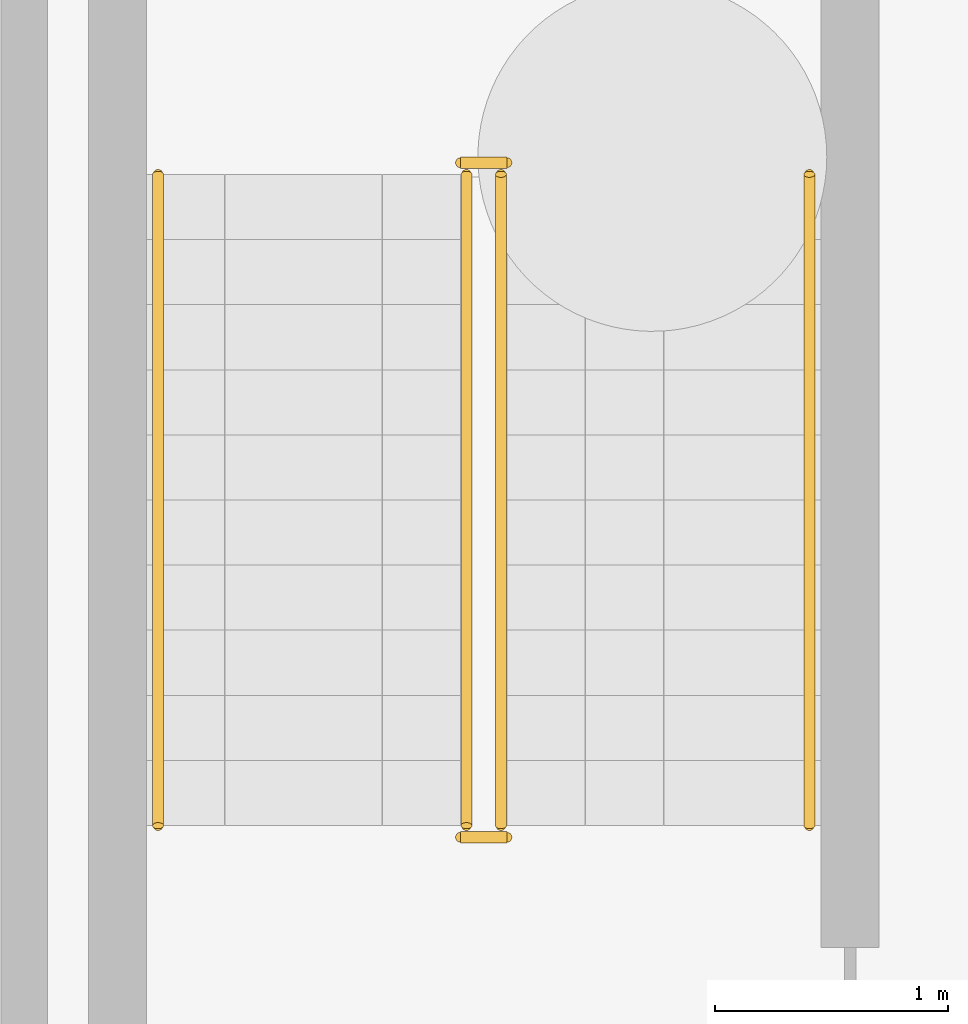
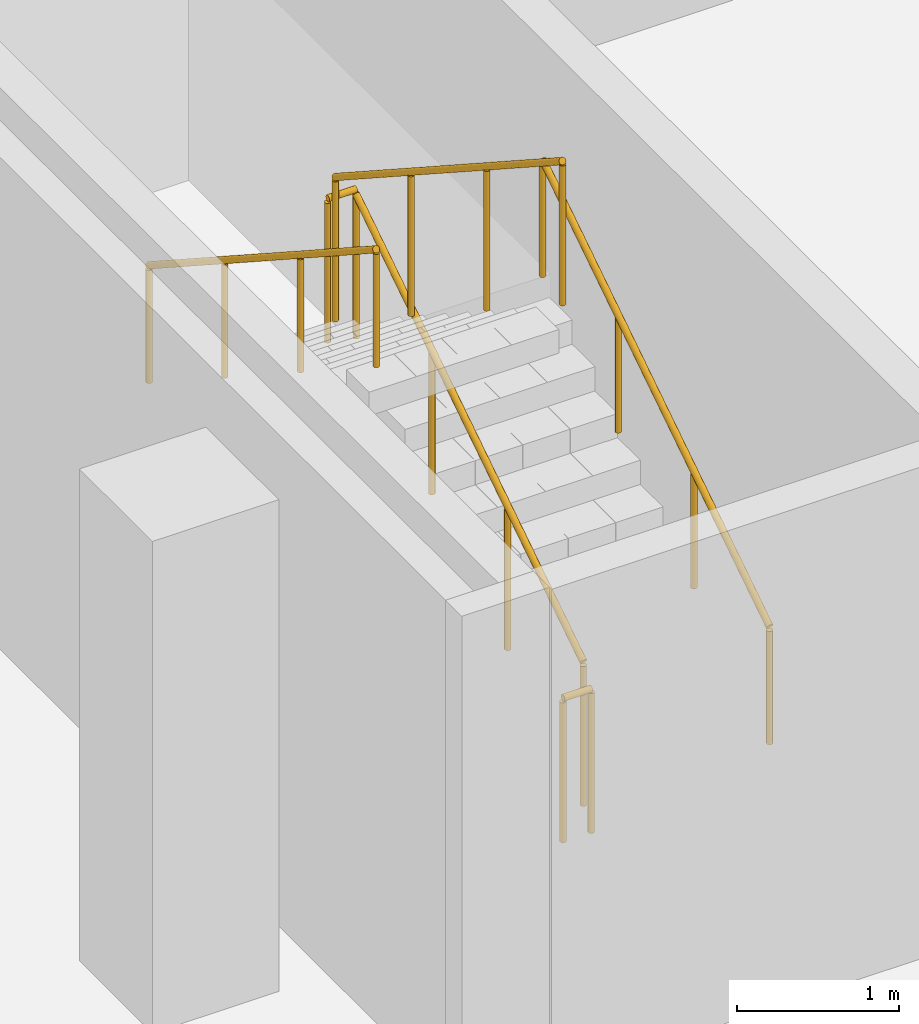
# One storey, part 19 of 20: 6 railings.
"""IFC4 building model written with IfcOpenShell, lengths in metres."""

from ifc_helpers import new_model, si_unit, direction, frame, origin, origin_2d, place, context, subcontext, project, spatial, circle, extrude, material, type_object, element, save


model = new_model("IFC4")

# Units and contexts
model_context = context("Model", 3, precision=1e-05, world=origin(), true_north=direction((0.0, 1.0)))
body_context = subcontext(model_context, "Body", "Model", "MODEL_VIEW")
ifc_project = project(units=[si_unit("LENGTHUNIT", "METRE"), si_unit("AREAUNIT", "SQUARE_METRE"), si_unit("VOLUMEUNIT", "CUBIC_METRE"), si_unit("PLANEANGLEUNIT", "RADIAN"), si_unit("MASSUNIT", "GRAM", prefix="KILO")], contexts=[model_context])

# Site, building, storey
site_placement = place(None, origin())
site = spatial("IfcSite", under=ifc_project, at=site_placement, CompositionType="ELEMENT")
building_placement = place(site_placement, origin())
building = spatial("IfcBuilding", under=site, at=building_placement, Name="Cantera Rosa Tower", CompositionType="ELEMENT")
storey_placement = place(building_placement, frame((0.0, 0.0, -17.0)))
storey = spatial("IfcBuildingStorey", under=building, at=storey_placement, Name="B4", CompositionType="ELEMENT", Elevation=-17.0)

# Railings
ifc_material_1 = material(Name="Steel S355J2 (EN 10025-2)", Category="steel")
railing_type_1 = type_object("IfcRailingType", Name="STAIR GUARD 1100", PredefinedType="GUARDRAIL", material=ifc_material_1)
railing_1_placement = place(storey_placement, frame((-30.65087890625, 21.125, 0.181884765625)))
element("IfcRailing", 1, at=railing_1_placement, inside=storey, type_object=railing_type_1, Name="B4 ST-NW stair guard 1", PredefinedType="GUARDRAIL", context=body_context, shape_type="SweptSolid", body=[
    extrude(circle(Radius=0.02392578125, at=origin_2d()), frame((0.0, 0.0, 1.076171875), z_axis=(0.0, 0.838705829183, 0.544584733623), x_axis=(-1.0, 0.0, 0.0)), (0.0, 0.0, 1.0), 3.338623046875),
    extrude(circle(Radius=0.02099609375, at=origin_2d()), origin(), (0.0, 0.0, 1.0), 1.052001953125),
    extrude(circle(Radius=0.02099609375, at=origin_2d()), frame((0.0, 0.933349609375, 0.60595703125)), (0.0, 0.0, 1.0), 1.052001953125),
    extrude(circle(Radius=0.02099609375, at=origin_2d()), frame((0.0, 1.86669921875, 1.212158203125)), (0.0, 0.0, 1.0), 1.052001953125),
    extrude(circle(Radius=0.02099609375, at=origin_2d()), frame((0.0, 2.800048828125, 1.818115234375)), (0.0, 0.0, 1.0), 1.052001953125),
])
railing_2_placement = place(storey_placement, frame((-30.625, 23.97509765625, 2.0)))
element("IfcRailing", 2, at=railing_2_placement, inside=storey, type_object=railing_type_1, Name="B4 ST-NW stair guard 2", PredefinedType="GUARDRAIL", context=body_context, shape_type="SweptSolid", body=[
    extrude(circle(Radius=0.02392578125, at=origin_2d()), frame((0.0, 0.0, 1.076171875), z_axis=(-1.0, 0.0, 0.0), x_axis=(0.0, -1.0, 0.0)), (0.0, 0.0, 1.0), 0.199951171875),
    extrude(circle(Radius=0.02099609375, at=origin_2d()), origin(), (0.0, 0.0, 1.0), 1.052001953125),
    extrude(circle(Radius=0.02099609375, at=origin_2d()), frame((-0.199951171875, 0.0, 0.0)), (0.0, 0.0, 1.0), 1.052001953125),
])
railing_3_placement = place(storey_placement, frame((-30.799072265625, 23.925048828125, 2.181884765625)))
element("IfcRailing", 3, at=railing_3_placement, inside=storey, type_object=railing_type_1, Name="B4 ST-NW stair guard 3", PredefinedType="GUARDRAIL", context=body_context, shape_type="SweptSolid", body=[
    extrude(circle(Radius=0.02392578125, at=origin_2d()), frame((0.0, 0.0, 1.076171875), z_axis=(0.0, -0.838705829183, 0.544584733623), x_axis=(1.0, 0.0, 0.0)), (0.0, 0.0, 1.0), 3.338623046875),
    extrude(circle(Radius=0.02099609375, at=origin_2d()), origin(), (0.0, 0.0, 1.0), 1.052001953125),
    extrude(circle(Radius=0.02099609375, at=origin_2d()), frame((0.0, -0.933349609375, 0.60595703125)), (0.0, 0.0, 1.0), 1.052001953125),
    extrude(circle(Radius=0.02099609375, at=origin_2d()), frame((0.0, -1.86669921875, 1.212158203125)), (0.0, 0.0, 1.0), 1.052001953125),
    extrude(circle(Radius=0.02099609375, at=origin_2d()), frame((0.0, -2.800048828125, 1.818115234375)), (0.0, 0.0, 1.0), 1.052001953125),
])
railing_4_placement = place(storey_placement, frame((-30.625, 21.074951171875, 0.0)))
element("IfcRailing", 4, at=railing_4_placement, inside=storey, type_object=railing_type_1, Name="B4 ST-NW stair guard 4", PredefinedType="GUARDRAIL", context=body_context, shape_type="SweptSolid", body=[
    extrude(circle(Radius=0.02392578125, at=origin_2d()), frame((0.0, 0.0, 1.076171875), z_axis=(-1.0, 0.0, 0.0), x_axis=(0.0, -1.0, 0.0)), (0.0, 0.0, 1.0), 0.199951171875),
    extrude(circle(Radius=0.02099609375, at=origin_2d()), origin(), (0.0, 0.0, 1.0), 1.052001953125),
    extrude(circle(Radius=0.02099609375, at=origin_2d()), frame((-0.199951171875, 0.0, 0.0)), (0.0, 0.0, 1.0), 1.052001953125),
])
ifc_material_2 = material(Name="Steel S355J2 (EN 10025-2)", Category="steel")
railing_type_2 = type_object("IfcRailingType", Name="STAIR HANDRAIL 900", PredefinedType="HANDRAIL", material=ifc_material_2)
railing_5_placement = place(storey_placement, frame((-29.324951171875, 21.125, 0.181884765625)))
element("IfcRailing", 5, at=railing_5_placement, inside=storey, type_object=railing_type_2, Name="B4 ST-NW stair handrail 1", PredefinedType="HANDRAIL", context=body_context, shape_type="SweptSolid", body=[
    extrude(circle(Radius=0.02392578125, at=origin_2d()), frame((0.0, 0.0, 0.8759765625), z_axis=(0.0, 0.838705829183, 0.544584733623), x_axis=(-1.0, 0.0, 0.0)), (0.0, 0.0, 1.0), 3.338623046875),
    extrude(circle(Radius=0.02099609375, at=origin_2d()), origin(), (0.0, 0.0, 1.0), 0.851806640625),
    extrude(circle(Radius=0.02099609375, at=origin_2d()), frame((0.0, 0.933349609375, 0.60595703125)), (0.0, 0.0, 1.0), 0.851806640625),
    extrude(circle(Radius=0.02099609375, at=origin_2d()), frame((0.0, 1.86669921875, 1.212158203125)), (0.0, 0.0, 1.0), 0.851806640625),
    extrude(circle(Radius=0.02099609375, at=origin_2d()), frame((0.0, 2.800048828125, 1.818115234375)), (0.0, 0.0, 1.0), 0.851806640625),
])
railing_6_placement = place(storey_placement, frame((-32.125, 23.925048828125, 2.181884765625)))
element("IfcRailing", 6, at=railing_6_placement, inside=storey, type_object=railing_type_2, Name="B4 ST-NW stair handrail 2", PredefinedType="HANDRAIL", context=body_context, shape_type="SweptSolid", body=[
    extrude(circle(Radius=0.02392578125, at=origin_2d()), frame((0.0, 0.0, 0.8759765625), z_axis=(0.0, -0.838705829183, 0.544584733623), x_axis=(1.0, 0.0, 0.0)), (0.0, 0.0, 1.0), 3.338623046875),
    extrude(circle(Radius=0.02099609375, at=origin_2d()), origin(), (0.0, 0.0, 1.0), 0.851806640625),
    extrude(circle(Radius=0.02099609375, at=origin_2d()), frame((0.0, -0.933349609375, 0.60595703125)), (0.0, 0.0, 1.0), 0.851806640625),
    extrude(circle(Radius=0.02099609375, at=origin_2d()), frame((0.0, -1.86669921875, 1.212158203125)), (0.0, 0.0, 1.0), 0.851806640625),
    extrude(circle(Radius=0.02099609375, at=origin_2d()), frame((0.0, -2.800048828125, 1.818115234375)), (0.0, 0.0, 1.0), 0.851806640625),
])

save(model, "model.ifc")
